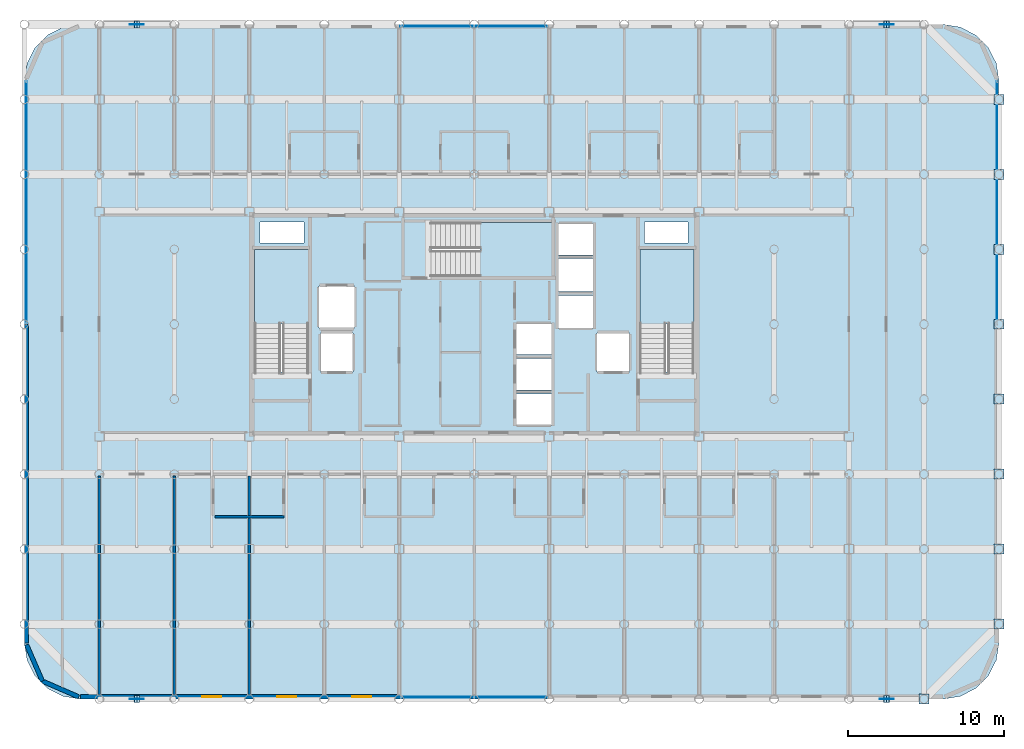
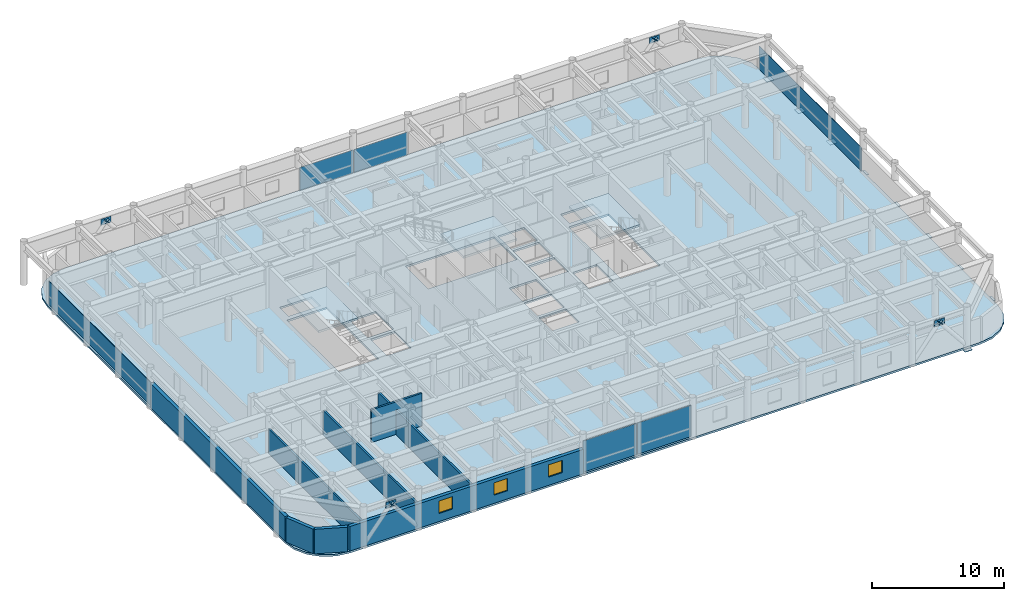
# One storey, part 16 of 22: 27 plates, 8 walls, 4 slabs, 3 windows, 3 openings, 7 elements without a shape of their own.
"""IFC4 building model written with IfcOpenShell, lengths in metres."""

import ifcopenshell
import ifcopenshell.guid

model = None  # the IFC model being written
_history = None  # IfcOwnerHistory: only IFC2X3 demands one
_inside = {}  # id of a spatial element -> (the spatial element, [elements in it])
_under = {}  # id of a project, library or spatial element -> (it, [spatial elements below it])
_declared = {}  # id of a project -> (the project, [libraries it declares])
_typed = {}  # id of a type object -> (the type object, [elements of that type])
_made_of = {}  # id of a material, layer set ... -> (it, [elements and type objects made of it])


def new_model(schema):
    """Start an empty IFC model of exactly this schema.

    Asked for "IFC4X3", IfcOpenShell would pick the latest addendum, in which some entities
    have other attributes; the version numbers below select the first issue.
    IFC2X3 requires an IfcOwnerHistory on every rooted entity: one is made here for all.
    """
    global model, _history
    if schema == "IFC4X3":
        model = ifcopenshell.file(schema_version=(4, 3, 0, 0))
    else:
        model = ifcopenshell.file(schema=schema)
    _inside.clear()
    _under.clear()
    _declared.clear()
    _typed.clear()
    _made_of.clear()
    _history = None
    if model.schema == "IFC2X3":
        org = make("IfcOrganization", Name="unknown")
        user = make(
            "IfcPersonAndOrganization",
            ThePerson=make("IfcPerson", FamilyName="unknown"),
            TheOrganization=org,
        )
        app = make(
            "IfcApplication",
            ApplicationDeveloper=org,
            Version="unknown",
            ApplicationFullName="unknown",
            ApplicationIdentifier="unknown",
        )
        _history = make(
            "IfcOwnerHistory",
            OwningUser=user,
            OwningApplication=app,
            ChangeAction="ADDED",
            CreationDate=0,
        )
    return model


def make(cls, **values):
    """One entity of the class cls with the attributes given. An attribute that is None is left unset."""
    return model.create_entity(
        cls, **{name: value for name, value in values.items() if value is not None}
    )


def rooted(cls, **values):
    """An entity with a GlobalId (a new one), such as an element, a storey or a relation."""
    return make(cls, GlobalId=ifcopenshell.guid.new(), OwnerHistory=_history, **values)


def si_unit(unit_type, name, prefix=None):
    """IfcSIUnit, for example si_unit("LENGTHUNIT", "METRE", prefix="MILLI")."""
    return make("IfcSIUnit", UnitType=unit_type, Prefix=prefix, Name=name)


def assignment(units):
    """IfcUnitAssignment: the units of a project."""
    return None if units is None else make("IfcUnitAssignment", Units=units)


def point(xyz):
    """IfcCartesianPoint."""
    return None if xyz is None else make("IfcCartesianPoint", Coordinates=xyz)


def direction(xyz):
    """IfcDirection."""
    return None if xyz is None else make("IfcDirection", DirectionRatios=xyz)


def frame(location, z_axis=None, x_axis=None):
    """IfcAxis2Placement3D, a coordinate frame: its origin and axes. An axis left out is left unset."""
    return make(
        "IfcAxis2Placement3D",
        Location=point(location),
        Axis=direction(z_axis),
        RefDirection=direction(x_axis),
    )


def frame_2d(location, x_axis=None):
    """IfcAxis2Placement2D, a coordinate frame in the plane: its origin and x axis."""
    return make(
        "IfcAxis2Placement2D", Location=point(location), RefDirection=direction(x_axis)
    )


def origin():
    """The frame at (0, 0, 0) with its axes left unset."""
    return frame((0.0, 0.0, 0.0))


def origin_2d():
    """The frame at (0, 0) in the plane with its x axis left unset."""
    return frame_2d((0.0, 0.0))


def place(relative_to, where):
    """IfcLocalPlacement: puts the frame where relative to a parent placement (None: the world)."""
    return make(
        "IfcLocalPlacement", PlacementRelTo=relative_to, RelativePlacement=where
    )


def context(
    kind, dimensions, precision=None, world=None, true_north=None, identifier=None
):
    """IfcGeometricRepresentationContext, for example the 3D "Model" context."""
    return make(
        "IfcGeometricRepresentationContext",
        ContextIdentifier=identifier,
        ContextType=kind,
        CoordinateSpaceDimension=dimensions,
        Precision=precision,
        WorldCoordinateSystem=world,
        TrueNorth=true_north,
    )


def subcontext(parent, identifier, kind, view, scale=None):
    """IfcGeometricRepresentationSubContext, for example "Body" below "Model"."""
    return make(
        "IfcGeometricRepresentationSubContext",
        ContextIdentifier=identifier,
        ContextType=kind,
        ParentContext=parent,
        TargetScale=scale,
        TargetView=view,
    )


def project(units=None, contexts=None):
    """IfcProject with its units and contexts."""
    return rooted(
        "IfcProject",
        Name="project",
        RepresentationContexts=contexts,
        UnitsInContext=assignment(units),
    )


def spatial(cls, under=None, at=None, **own):
    """A site, building, storey or space (cls), placed at a placement, below another one or the project."""
    s = rooted(cls, ObjectPlacement=at, **own)
    if under is not None:
        _under.setdefault(under.id(), (under, []))[1].append(s)
    return s


def polyline(points):
    """IfcPolyline through the points."""
    return make("IfcPolyline", Points=[point(p) for p in points])


def profile(cls, at=None, kind="AREA", **sizes):
    """A parametric profile (cls). Its sizes go by their IFC names, for example OverallWidth=200.0."""
    return make(cls, ProfileType=kind, Position=at, **sizes)


def rectangle(**sizes):
    """IfcRectangleProfileDef."""
    return profile("IfcRectangleProfileDef", **sizes)


def outline(outer, holes=None, kind="AREA"):
    """IfcArbitraryClosedProfileDef: a profile drawn as a closed curve; with holes, ...WithVoids."""
    if holes is None:
        return make("IfcArbitraryClosedProfileDef", ProfileType=kind, OuterCurve=outer)
    return make(
        "IfcArbitraryProfileDefWithVoids",
        ProfileType=kind,
        OuterCurve=outer,
        InnerCurves=holes,
    )


def extrude(swept, where, along, depth):
    """IfcExtrudedAreaSolid: the profile swept, set in the frame where, extruded along a direction by depth."""
    return make(
        "IfcExtrudedAreaSolid",
        SweptArea=swept,
        Position=where,
        ExtrudedDirection=direction(along),
        Depth=depth,
    )


def shape(context_of_items, identifier, shape_type, items):
    """IfcShapeRepresentation: the items that make up one representation, for example the "Body"."""
    return make(
        "IfcShapeRepresentation",
        ContextOfItems=context_of_items,
        RepresentationIdentifier=identifier,
        RepresentationType=shape_type,
        Items=items,
    )


def material(Name=None, Category=None):
    """IfcMaterial."""
    return make("IfcMaterial", Name=Name, Category=Category)


def layer(
    of_material, thickness, ventilated=None, Name=None, Category=None, Priority=None
):
    """IfcMaterialLayer: one layer of a wall or slab, of a material (None: an air gap)."""
    return make(
        "IfcMaterialLayer",
        Material=of_material,
        LayerThickness=thickness,
        IsVentilated=ventilated,
        Name=Name,
        Category=Category,
        Priority=Priority,
    )


def layer_set(layers, Name=None):
    """IfcMaterialLayerSet."""
    return make("IfcMaterialLayerSet", MaterialLayers=layers, LayerSetName=Name)


def made_of(thing, what):
    """Note that an element or type object is made of a material, layer set ...; save() writes the relation."""
    if what is not None:
        _made_of.setdefault(what.id(), (what, []))[1].append(thing)
    return thing


def type_object(cls, material=None, **own):
    """A type object (cls), such as IfcWallType, which elements share."""
    return made_of(rooted(cls, **own), material)


def element(
    cls,
    number,
    at=None,
    inside=None,
    cuts=None,
    type_object=None,
    material=None,
    context=None,
    identifier="Body",
    shape_type=None,
    held_by="IfcProductDefinitionShape",
    body=None,
    shapes=None,
    **own,
):
    """One element of the class cls, such as IfcWall. Its Tag is "e" and its number.

    at: its placement. inside: the storey or other place that contains it. cuts: it is an
    opening in that element (IfcRelVoidsElement). A single representation is given by context,
    identifier, shape_type and body (its items); several are given by shapes. held_by: the class
    of the entity that holds the representations. save() writes the other relations.
    """
    e = rooted(cls, Tag="e%d" % number, ObjectPlacement=at, **own)
    if body is not None:
        shapes = [shape(context, identifier, shape_type, body)]
    if shapes is not None:
        e.Representation = make(held_by, Representations=shapes)
    if inside is not None:
        _inside.setdefault(inside.id(), (inside, []))[1].append(e)
    if cuts is not None:
        rooted(
            "IfcRelVoidsElement", RelatingBuildingElement=cuts, RelatedOpeningElement=e
        )
    if type_object is not None:
        _typed.setdefault(type_object.id(), (type_object, []))[1].append(e)
    return made_of(e, material)


def fill(opening, filler):
    """IfcRelFillsElement: the door or window that sits in an opening."""
    return rooted(
        "IfcRelFillsElement",
        RelatingOpeningElement=opening,
        RelatedBuildingElement=filler,
    )


def aggregate(whole, parts):
    """IfcRelAggregates: a whole, such as a stair, and the parts it consists of."""
    return rooted("IfcRelAggregates", RelatingObject=whole, RelatedObjects=parts)


def save(model, path):
    """Write the relations noted so far, then the file.

    IfcRelAggregates (storeys below a building ...), IfcRelContainedInSpatialStructure (elements
    in a storey), IfcRelDefinesByType, IfcRelAssociatesMaterial and IfcRelDeclares: one each for
    every whole, place, type object, material and project.
    """
    for whole, parts in _under.values():
        aggregate(whole, parts)
    for where, things in _inside.values():
        rooted(
            "IfcRelContainedInSpatialStructure",
            RelatedElements=things,
            RelatingStructure=where,
        )
    for kind, things in _typed.values():
        rooted("IfcRelDefinesByType", RelatedObjects=things, RelatingType=kind)
    for what, things in _made_of.values():
        rooted("IfcRelAssociatesMaterial", RelatedObjects=things, RelatingMaterial=what)
    for by, libraries in _declared.values():
        rooted("IfcRelDeclares", RelatingContext=by, RelatedDefinitions=libraries)
    model.write(path)


model = new_model("IFC4")

# Units and contexts
model_context = context("Model", 3, precision=1e-05, world=origin(), true_north=direction((0.0, 1.0)))
body_context = subcontext(model_context, "Body", "Model", "MODEL_VIEW")
ifc_project = project(units=[si_unit("LENGTHUNIT", "METRE"), si_unit("AREAUNIT", "SQUARE_METRE"), si_unit("VOLUMEUNIT", "CUBIC_METRE"), si_unit("PLANEANGLEUNIT", "RADIAN"), si_unit("MASSUNIT", "GRAM", prefix="KILO")], contexts=[model_context])

# Site, building, storey
site_placement = place(None, origin())
site = spatial("IfcSite", under=ifc_project, at=site_placement, CompositionType="ELEMENT")
building_placement = place(site_placement, origin())
building = spatial("IfcBuilding", under=site, at=building_placement, Name="Kallvorn Hotel Tower", CompositionType="ELEMENT")
storey_placement = place(building_placement, frame((0.0, 0.0, 191.5)))
storey = spatial("IfcBuildingStorey", under=building, at=storey_placement, Name="L47", CompositionType="ELEMENT", Elevation=191.5)

# Curtain wall, plates
ifc_material_1 = material(Name="Thermally broken black-anodised aluminium AA 6063-T6", Category="aluminium")
ifc_layer_1 = layer(ifc_material_1, 0.22998046875)
ifc_layer_set_1 = layer_set([ifc_layer_1], Name="CW_SYS_5_HOTEL_HIGH")
curtain_wall_type = type_object("IfcCurtainWallType", Name="CW_SYS_5_HOTEL_HIGH", PredefinedType="USERDEFINED", material=ifc_layer_set_1)
curtain_wall_1_placement = place(storey_placement, origin())
curtain_wall_1 = element("IfcCurtainWall", 1, at=curtain_wall_1_placement, inside=storey, type_object=curtain_wall_type, Name="L47 Dark-Glass Curtain Wall CW-L47-SC", ObjectType="UNITISED CURTAIN WALL", PredefinedType="USERDEFINED")
ifc_material_2 = material(Name="Triple-glazed low-e acoustic solar-control dark glass", Category="glass")
ifc_layer_2 = layer(ifc_material_2, 0.04150390625)
ifc_layer_set_2 = layer_set([ifc_layer_2], Name="CW_SYS_5_HOTEL_HIGH_PANEL")
plate_type_1 = type_object("IfcPlateType", Name="CW_SYS_5_HOTEL_HIGH_PANEL", PredefinedType="CURTAIN_PANEL", material=ifc_layer_set_2)
plate_1_placement = place(storey_placement, frame((-2.375, -23.8798828125, 0.06005859375), z_axis=(0.0, 0.0, 1.0), x_axis=(1.0, 0.0, 0.0)))
plate_1 = element("IfcPlate", 2, at=plate_1_placement, type_object=plate_type_1, Name="CW-L47-SC Vision Glass Panel 00", PredefinedType="CURTAIN_PANEL", context=body_context, shape_type="SweptSolid", body=[
    extrude(rectangle(XDim=4.68994140625, YDim=0.04150390625, at=origin_2d()), origin(), (0.0, 0.0, 1.0), 2.89990234375),
])
plate_2_placement = place(storey_placement, frame((2.375, -23.8798828125, 0.06005859375), z_axis=(0.0, 0.0, 1.0), x_axis=(1.0, 0.0, 0.0)))
plate_2 = element("IfcPlate", 3, at=plate_2_placement, type_object=plate_type_1, Name="CW-L47-SC Vision Glass Panel 01", PredefinedType="CURTAIN_PANEL", context=body_context, shape_type="SweptSolid", body=[
    extrude(rectangle(XDim=4.68994140625, YDim=0.04150390625, at=origin_2d()), origin(), (0.0, 0.0, 1.0), 2.89990234375),
])
aggregate(curtain_wall_1, [plate_1, plate_2])

curtain_wall_2_placement = place(storey_placement, origin())
curtain_wall_2 = element("IfcCurtainWall", 4, at=curtain_wall_2_placement, inside=storey, type_object=curtain_wall_type, Name="L47 Dark-Glass Curtain Wall CW-L47-NC", ObjectType="UNITISED CURTAIN WALL", PredefinedType="USERDEFINED")
plate_3_placement = place(storey_placement, frame((-2.375, 19.080078125, 0.06005859375), z_axis=(0.0, 0.0, 1.0), x_axis=(1.0, 0.0, 0.0)))
plate_3 = element("IfcPlate", 5, at=plate_3_placement, type_object=plate_type_1, Name="CW-L47-NC Vision Glass Panel 00", PredefinedType="CURTAIN_PANEL", context=body_context, shape_type="SweptSolid", body=[
    extrude(rectangle(XDim=4.68994140625, YDim=0.04150390625, at=origin_2d()), origin(), (0.0, 0.0, 1.0), 2.14990234375),
])
plate_4_placement = place(storey_placement, frame((2.375, 19.080078125, 0.06005859375), z_axis=(0.0, 0.0, 1.0), x_axis=(1.0, 0.0, 0.0)))
plate_4 = element("IfcPlate", 6, at=plate_4_placement, type_object=plate_type_1, Name="CW-L47-NC Vision Glass Panel 01", PredefinedType="CURTAIN_PANEL", context=body_context, shape_type="SweptSolid", body=[
    extrude(rectangle(XDim=4.68994140625, YDim=0.04150390625, at=origin_2d()), origin(), (0.0, 0.0, 1.0), 2.14990234375),
])
aggregate(curtain_wall_2, [plate_3, plate_4])

# Curtain wall, plate
curtain_wall_3_placement = place(storey_placement, origin())
curtain_wall_3 = element("IfcCurtainWall", 7, at=curtain_wall_3_placement, inside=storey, type_object=curtain_wall_type, Name="L47 Dark-Glass Curtain Wall CW-L47-WN", ObjectType="UNITISED CURTAIN WALL", PredefinedType="USERDEFINED")
plate_5_placement = place(storey_placement, frame((-28.679931640625, 7.81005859375, 0.06005859375), z_axis=(0.0, 0.0, 1.0), x_axis=(0.0, 1.0, 0.0)))
plate_5 = element("IfcPlate", 8, at=plate_5_placement, type_object=plate_type_1, Name="CW-L47-WN Vision Glass Panel 00", PredefinedType="CURTAIN_PANEL", context=body_context, shape_type="SweptSolid", body=[
    extrude(rectangle(XDim=15.52001953125, YDim=0.04150390625, at=origin_2d()), origin(), (0.0, 0.0, 1.0), 2.14990234375),
])
aggregate(curtain_wall_3, [plate_5])

curtain_wall_4_placement = place(storey_placement, origin())
curtain_wall_4 = element("IfcCurtainWall", 9, at=curtain_wall_4_placement, inside=storey, type_object=curtain_wall_type, Name="L47 Dark-Glass Curtain Wall CW-L47-EN", ObjectType="UNITISED CURTAIN WALL", PredefinedType="USERDEFINED")
plate_6_placement = place(storey_placement, frame((33.47998046875, 7.81005859375, 0.06005859375), z_axis=(0.0, 0.0, 1.0), x_axis=(0.0, 1.0, 0.0)))
plate_6 = element("IfcPlate", 10, at=plate_6_placement, type_object=plate_type_1, Name="CW-L47-EN Vision Glass Panel 00", PredefinedType="CURTAIN_PANEL", context=body_context, shape_type="SweptSolid", body=[
    extrude(rectangle(XDim=15.52001953125, YDim=0.04150390625, at=origin_2d()), origin(), (0.0, 0.0, 1.0), 2.14990234375),
])
aggregate(curtain_wall_4, [plate_6])

# Plates
ifc_material_3 = material(Name="Structural steel S355JR", Category="steel")
ifc_layer_3 = layer(ifc_material_3, 0.030029296875)
ifc_layer_set_3 = layer_set([ifc_layer_3], Name="PLT_CAP_30")
plate_type_2 = type_object("IfcPlateType", Name="PLT_CAP_30", PredefinedType="SHEET", material=ifc_layer_set_3)
for number, where, z_axis, x_axis, name in (
    (11, (28.800048828125, -24.0, -0.2099609375), (0.0, 0.0, 1.0), (1.0, 0.0, 0.0), "L47 Hollow Column Base End Cap Plate 0234"),
    (12, (33.60009765625, -19.199951171875, -0.2099609375), (0.0, 0.0, 1.0), (1.0, 0.0, 0.0), "L47 Hollow Column Base End Cap Plate 0235"),
    (13, (33.60009765625, -14.39990234375, -0.2099609375), (0.0, 0.0, 1.0), (1.0, 0.0, 0.0), "L47 Hollow Column Base End Cap Plate 0236"),
    (14, (33.60009765625, -9.60009765625, -0.2099609375), (0.0, 0.0, 1.0), (1.0, 0.0, 0.0), "L47 Hollow Column Base End Cap Plate 0237"),
    (15, (33.60009765625, -4.800048828125, -0.2099609375), (0.0, 0.0, 1.0), (1.0, 0.0, 0.0), "L47 Hollow Column Base End Cap Plate 0238"),
    (16, (33.60009765625, 0.0, -0.2099609375), (0.0, 0.0, 1.0), (1.0, 0.0, 0.0), "L47 Hollow Column Base End Cap Plate 0239"),
    (17, (33.60009765625, 4.800048828125, -0.2099609375), (0.0, 0.0, 1.0), (1.0, 0.0, 0.0), "L47 Hollow Column Base End Cap Plate 0240"),
    (18, (33.60009765625, 9.60009765625, -0.2099609375), (0.0, 0.0, 1.0), (1.0, 0.0, 0.0), "L47 Hollow Column Base End Cap Plate 0241"),
    (19, (33.60009765625, 14.39990234375, -0.2099609375), (0.0, 0.0, 1.0), (1.0, 0.0, 0.0), "L47 Hollow Column Base End Cap Plate 0242"),
):
    element("IfcPlate", number, at=place(storey_placement, frame(where, z_axis=z_axis, x_axis=x_axis)), inside=storey, type_object=plate_type_2, Name=name, PredefinedType="SHEET", context=body_context, shape_type="SweptSolid", body=[
        extrude(rectangle(XDim=0.638916015625, YDim=0.638916015625, at=origin_2d()), origin(), (0.0, 0.0, 1.0), 0.030029296875),
    ])
for number, where, z_axis, x_axis, name in (
    (20, (-21.424072265625, -24.2177734375, 3.031005859375), (0.627697677331, 0.0, 0.778457208762), (0.0, 1.0, 0.0), "EXO-L47-S1A End Cap Plate B"),
    (21, (-21.77587890625, -23.7822265625, 3.031005859375), (-0.627697677331, 0.0, 0.778457208762), (0.0, -1.0, 0.0), "EXO-L47-S1B End Cap Plate B"),
    (22, (26.575927734375, -24.2177734375, 3.031005859375), (0.627697677331, 0.0, 0.778457208762), (0.0, 1.0, 0.0), "EXO-L47-S2A End Cap Plate B"),
    (23, (26.22412109375, -23.7822265625, 3.031005859375), (-0.627697677331, 0.0, 0.778457208762), (0.0, -1.0, 0.0), "EXO-L47-S2B End Cap Plate B"),
    (24, (-21.424072265625, 18.982177734375, 3.031005859375), (0.627697677331, 0.0, 0.778457208762), (0.0, 1.0, 0.0), "EXO-L47-N1A End Cap Plate B"),
    (25, (-21.77587890625, 19.417724609375, 3.031005859375), (-0.627697677331, 0.0, 0.778457208762), (0.0, -1.0, 0.0), "EXO-L47-N1B End Cap Plate B"),
    (26, (26.575927734375, 18.982177734375, 3.031005859375), (0.627697677331, 0.0, 0.778457208762), (0.0, 1.0, 0.0), "EXO-L47-N2A End Cap Plate B"),
    (27, (26.22412109375, 19.417724609375, 3.031005859375), (-0.627697677331, 0.0, 0.778457208762), (0.0, -1.0, 0.0), "EXO-L47-N2B End Cap Plate B"),
):
    element("IfcPlate", number, at=place(storey_placement, frame(where, z_axis=z_axis, x_axis=x_axis)), inside=storey, type_object=plate_type_2, Name=name, PredefinedType="SHEET", context=body_context, shape_type="SweptSolid", body=[
        extrude(outline(polyline([(0.0, 0.0), (0.435546875, 0.0), (0.435546875, 0.43561974159690164), (0.0, 0.43561974159690164), (0.0, 0.0)])), origin(), (0.0, 0.0, -1.0), 0.030029296875),
    ])
ifc_material_4 = material(Name="Structural steel S355JR", Category="steel")
ifc_layer_4 = layer(ifc_material_4, 0.034912109375)
ifc_layer_set_4 = layer_set([ifc_layer_4], Name="PLT_GUSSET_35")
plate_type_3 = type_object("IfcPlateType", Name="PLT_GUSSET_35", PredefinedType="USERDEFINED", material=ifc_layer_set_4)
for number, where, z_axis, x_axis, name in (
    (28, (-21.60009765625, -24.0, 2.840087890625), (0.0, 0.0, 1.0), (1.0, 0.0, 0.0), "L47 Exoskeleton Node Gusset S1"),
    (29, (26.39990234375, -24.0, 2.840087890625), (0.0, 0.0, 1.0), (1.0, 0.0, 0.0), "L47 Exoskeleton Node Gusset S2"),
    (30, (-21.60009765625, 19.199951171875, 2.840087890625), (0.0, 0.0, 1.0), (1.0, 0.0, 0.0), "L47 Exoskeleton Node Gusset N1"),
    (31, (26.39990234375, 19.199951171875, 2.840087890625), (0.0, 0.0, 1.0), (1.0, 0.0, 0.0), "L47 Exoskeleton Node Gusset N2"),
):
    element("IfcPlate", number, at=place(storey_placement, frame(where, z_axis=z_axis, x_axis=x_axis)), inside=storey, type_object=plate_type_3, Name=name, ObjectType="GUSSET PLATE", PredefinedType="USERDEFINED", context=body_context, shape_type="SweptSolid", body=[
        extrude(rectangle(XDim=0.89990234375, YDim=0.034912109375, at=origin_2d()), origin(), (0.0, 0.0, 1.0), 0.56005859375),
    ])

# Stair, slab
ifc_material_5 = material(Name="Precast concrete C40/50", Category="concrete")
stair_type = type_object("IfcStairType", Name="STR_CORE_DOGLEG", PredefinedType="HALF_TURN_STAIR", material=ifc_material_5)
stair_1_placement = place(storey_placement, origin())
stair_1 = element("IfcStair", 32, at=stair_1_placement, inside=storey, type_object=stair_type, Name="L47 Exit stair ST1", PredefinedType="HALF_TURN_STAIR")
ifc_material_6 = material(Name="Precast concrete C40/50", Category="concrete")
ifc_layer_5 = layer(ifc_material_6, 0.179931640625)
ifc_layer_set_5 = layer_set([ifc_layer_5], Name="SLB_LANDING_180")
slab_type_1 = type_object("IfcSlabType", Name="SLB_LANDING_180", PredefinedType="LANDING", material=ifc_layer_set_5)
slab_1_placement = place(storey_placement, frame((0.0, 0.0, 1.72509765625)))
slab_1 = element("IfcSlab", 33, at=slab_1_placement, type_object=slab_type_1, Name="ST1 landing 1", PredefinedType="LANDING", context=body_context, shape_type="SweptSolid", body=[
    extrude(outline(polyline([(-10.60009765625, 0.010009765625), (-10.60009765625, 4.800048828125), (-14.06005859375, 4.800048828125), (-14.06005859375, 0.010009765625), (-10.60009765625, 0.010009765625)])), origin(), (0.0, 0.0, 1.0), 0.199951171875),
])
aggregate(stair_1, [slab_1])

stair_2_placement = place(storey_placement, origin())
stair_2 = element("IfcStair", 34, at=stair_2_placement, inside=storey, type_object=stair_type, Name="L47 Exit stair ST2", PredefinedType="HALF_TURN_STAIR")
slab_2_placement = place(storey_placement, frame((0.0, 0.0, 1.72509765625)))
slab_2 = element("IfcSlab", 35, at=slab_2_placement, type_object=slab_type_1, Name="ST2 landing 1", PredefinedType="LANDING", context=body_context, shape_type="SweptSolid", body=[
    extrude(outline(polyline([(14.06005859375, 0.010009765625), (14.06005859375, 4.800048828125), (10.60009765625, 4.800048828125), (10.60009765625, 0.010009765625), (14.06005859375, 0.010009765625)])), origin(), (0.0, 0.0, 1.0), 0.199951171875),
])
aggregate(stair_2, [slab_2])

stair_3_placement = place(storey_placement, origin())
stair_3 = element("IfcStair", 36, at=stair_3_placement, inside=storey, type_object=stair_type, Name="L47 Exit stair ST3", PredefinedType="HALF_TURN_STAIR")
slab_3_placement = place(storey_placement, frame((0.0, 0.0, 1.72509765625)))
slab_3 = element("IfcSlab", 37, at=slab_3_placement, type_object=slab_type_1, Name="ST3 landing 1", PredefinedType="LANDING", context=body_context, shape_type="SweptSolid", body=[
    extrude(outline(polyline([(0.360107421875, 3.050048828125), (5.050048828125, 3.050048828125), (5.050048828125, 6.510009765625), (0.360107421875, 6.510009765625), (0.360107421875, 3.050048828125)])), origin(), (0.0, 0.0, 1.0), 0.199951171875),
])
aggregate(stair_3, [slab_3])

# Slab
ifc_material_7 = material(Name="Concrete C40/50", Category="concrete")
ifc_layer_6 = layer(ifc_material_7, 0.179931640625)
ifc_layer_set_6 = layer_set([ifc_layer_6], Name="SLB_TOWER_180")
slab_type_2 = type_object("IfcSlabType", Name="SLB_TOWER_180", PredefinedType="FLOOR", material=ifc_layer_set_6)
slab_4_placement = place(storey_placement, frame((0.0, 0.0, -0.179931640625)))
element("IfcSlab", 38, at=slab_4_placement, inside=storey, type_object=slab_type_2, Name="L47 Structural Floor Slab", PredefinedType="FLOOR", context=body_context, shape_type="SweptSolid", body=[
    extrude(outline(polyline([(30.0, -24.0), (31.112548828125, -23.82373046875), (32.115966796875, -23.3125), (32.91259765625, -22.51611328125), (33.423828125, -21.512451171875), (33.60009765625, -20.39990234375), (33.60009765625, 15.60009765625), (33.423828125, 16.71240234375), (32.91259765625, 17.716064453125), (32.115966796875, 18.512451171875), (31.112548828125, 19.023681640625), (30.0, 19.199951171875), (-25.199951171875, 19.199951171875), (-26.3125, 19.023681640625), (-27.31591796875, 18.512451171875), (-28.112548828125, 17.716064453125), (-28.623779296875, 16.71240234375), (-28.800048828125, 15.60009765625), (-28.800048828125, -20.39990234375), (-28.623779296875, -21.512451171875), (-28.112548828125, -22.51611328125), (-27.31591796875, -23.3125), (-26.3125, -23.82373046875), (-25.199951171875, -24.0), (30.0, -24.0)]), holes=[polyline([(-10.60009765625, -3.070068359375), (-10.60009765625, 4.800048828125), (-14.06005859375, 4.800048828125), (-14.06005859375, -3.070068359375), (-10.60009765625, -3.070068359375)]), polyline([(14.06005859375, -3.070068359375), (14.06005859375, 4.800048828125), (10.60009765625, 4.800048828125), (10.60009765625, -3.070068359375), (14.06005859375, -3.070068359375)]), polyline([(-2.719970703125, 3.050048828125), (5.050048828125, 3.050048828125), (5.050048828125, 6.510009765625), (-2.719970703125, 6.510009765625), (-2.719970703125, 3.050048828125)]), polyline([(2.64990234375, -6.449951171875), (5.0, -6.449951171875), (5.0, -4.449951171875), (2.64990234375, -4.449951171875), (2.64990234375, -6.449951171875)]), polyline([(2.64990234375, -4.199951171875), (5.0, -4.199951171875), (5.0, -2.199951171875), (2.64990234375, -2.199951171875), (2.64990234375, -4.199951171875)]), polyline([(2.64990234375, -1.949951171875), (5.0, -1.949951171875), (5.0, 0.050048828125), (2.64990234375, 0.050048828125), (2.64990234375, -1.949951171875)]), polyline([(5.35009765625, -0.25), (7.64990234375, -0.25), (7.64990234375, 1.85009765625), (5.35009765625, 1.85009765625), (5.35009765625, -0.25)]), polyline([(5.35009765625, 2.10009765625), (7.64990234375, 2.10009765625), (7.64990234375, 4.199951171875), (5.35009765625, 4.199951171875), (5.35009765625, 2.10009765625)]), polyline([(5.35009765625, 4.449951171875), (7.64990234375, 4.449951171875), (7.64990234375, 6.449951171875), (5.35009765625, 6.449951171875), (5.35009765625, 4.449951171875)]), polyline([(-9.85009765625, -3.050048828125), (-7.75, -3.050048828125), (-7.75, -0.550048828125), (-9.85009765625, -0.550048828125), (-9.85009765625, -3.050048828125)]), polyline([(7.85009765625, -3.050048828125), (9.949951171875, -3.050048828125), (9.949951171875, -0.550048828125), (7.85009765625, -0.550048828125), (7.85009765625, -3.050048828125)]), polyline([(-9.949951171875, -0.25), (-7.64990234375, -0.25), (-7.64990234375, 2.449951171875), (-9.949951171875, 2.449951171875), (-9.949951171875, -0.25)]), polyline([(-13.699951171875, 5.199951171875), (-10.89990234375, 5.199951171875), (-10.89990234375, 6.550048828125), (-13.699951171875, 6.550048828125), (-13.699951171875, 5.199951171875)]), polyline([(10.89990234375, 5.199951171875), (13.699951171875, 5.199951171875), (13.699951171875, 6.550048828125), (10.89990234375, 6.550048828125), (10.89990234375, 5.199951171875)])]), origin(), (0.0, 0.0, 1.0), 0.179931640625),
])

# Walls
ifc_material_8 = material(Name="Fire-rated double-layer acoustic gypsum drywall EI 60")
ifc_layer_7 = layer(ifc_material_8, 0.159912109375)
ifc_layer_set_7 = layer_set([ifc_layer_7], Name="WL_DEMISE_160")
wall_type_1 = type_object("IfcWallType", Name="WL_DEMISE_160", PredefinedType="PARTITIONING", material=ifc_layer_set_7)
wall_1_placement = place(storey_placement, frame((-16.610107421875, -12.320068359375, 0.0), z_axis=(0.0, 0.0, 1.0), x_axis=(1.0, 0.0, 0.0)))
element("IfcWall", 39, at=wall_1_placement, inside=storey, type_object=wall_type_1, Name="L47 Suite 4701 Superior Twin Room Partition", PredefinedType="PARTITIONING", context=body_context, shape_type="SweptSolid", body=[
    extrude(rectangle(XDim=4.420166015625, YDim=0.159912109375, at=frame_2d((2.2099609375, 0.0))), origin(), (0.0, 0.0, 1.0), 3.02001953125),
])
for number, where, z_axis, x_axis, name in (
    (40, (-19.199951171875, -23.7099609375, 0.0), (0.0, 0.0, 1.0), (0.0, 1.0, 0.0), "L47 Suite 4701 Superior Twin Room Partition"),
    (41, (-14.39990234375, -23.7099609375, 0.0), (0.0, 0.0, 1.0), (0.0, 1.0, 0.0), "L47 Suite 4701 Superior Twin Room Partition"),
):
    element("IfcWall", number, at=place(storey_placement, frame(where, z_axis=z_axis, x_axis=x_axis)), inside=storey, type_object=wall_type_1, Name=name, PredefinedType="PARTITIONING", context=body_context, shape_type="SweptSolid", body=[
        extrude(rectangle(XDim=13.989990234375, YDim=0.159912109375, at=frame_2d((6.9951171875, 0.0))), origin(), (0.0, 0.0, 1.0), 2.27001953125),
    ])
ifc_material_9 = material(Name="Precast basalt-clad insulated concrete wall C40/50", Category="masonry")
ifc_layer_8 = layer(ifc_material_9, 0.280029296875)
ifc_layer_set_8 = layer_set([ifc_layer_8], Name="WL_EXT_LOGGIA_280")
wall_type_2 = type_object("IfcWallType", Name="WL_EXT_LOGGIA_280", PredefinedType="SOLIDWALL", material=ifc_layer_set_8)
wall_2_placement = place(storey_placement, frame((-28.657958984375, -20.520751953125, 0.0), z_axis=(0.0, 0.0, 1.0), x_axis=(0.398792985289, -0.917040977756, 0.0)))
element("IfcWall", 42, at=wall_2_placement, inside=storey, type_object=wall_type_2, Name="L47 Rounded Corner Exterior Wall SW1", PredefinedType="SOLIDWALL", context=body_context, shape_type="SweptSolid", body=[
    extrude(rectangle(XDim=2.536376953125, YDim=0.280029296875, at=frame_2d((1.26806640625, 0.0))), origin(), (0.0, 0.0, 1.0), 2.27001953125),
])
wall_3_placement = place(storey_placement, frame((-27.646484375, -22.8466796875, 0.0), z_axis=(0.0, 0.0, 1.0), x_axis=(0.917060872934, -0.398747232384, 0.0)))
element("IfcWall", 43, at=wall_3_placement, inside=storey, type_object=wall_type_2, Name="L47 Rounded Corner Exterior Wall SW2", PredefinedType="SOLIDWALL", context=body_context, shape_type="SweptSolid", body=[
    extrude(rectangle(XDim=2.5361328125, YDim=0.280029296875, at=frame_2d((1.26806640625, 0.0))), origin(), (0.0, 0.0, 1.0), 2.27001953125),
])

# Wall, openings, windows
wall_4_placement = place(storey_placement, frame((-25.199951171875, -23.860107421875, 0.0), z_axis=(0.0, 0.0, 1.0), x_axis=(1.0, 0.0, 0.0)))
wall_4 = element("IfcWall", 44, at=wall_4_placement, inside=storey, type_object=wall_type_2, Name="L47 Exterior Envelope Wall EW-L47-SW", PredefinedType="SOLIDWALL", context=body_context, shape_type="SweptSolid", body=[
    extrude(rectangle(XDim=20.449951171875, YDim=0.280029296875, at=frame_2d((10.22509765625, 0.0))), origin(), (0.0, 0.0, 1.0), 2.27001953125),
])
opening_1_placement = place(wall_4_placement, frame((7.800048828125, 0.0, 0.75)))
opening_1 = element("IfcOpeningElement", 45, at=opening_1_placement, cuts=wall_4, Name="Opening W06A", PredefinedType="OPENING", context=body_context, shape_type="SweptSolid", body=[
    extrude(rectangle(XDim=1.199951171875, YDim=1.14990234375, at=frame_2d((0.60009765625, 0.574951171875))), frame((0.0, 0.155029296875, 0.0), z_axis=(0.0, -1.0, 0.0), x_axis=(1.0, 0.0, 0.0)), (0.0, 0.0, 1.0), 0.31005859375),
])
opening_2_placement = place(wall_4_placement, frame((12.60009765625, 0.0, 0.75)))
opening_2 = element("IfcOpeningElement", 46, at=opening_2_placement, cuts=wall_4, Name="Opening W06A", PredefinedType="OPENING", context=body_context, shape_type="SweptSolid", body=[
    extrude(rectangle(XDim=1.199951171875, YDim=1.14990234375, at=frame_2d((0.60009765625, 0.574951171875))), frame((0.0, 0.155029296875, 0.0), z_axis=(0.0, -1.0, 0.0), x_axis=(1.0, 0.0, 0.0)), (0.0, 0.0, 1.0), 0.31005859375),
])
opening_3_placement = place(wall_4_placement, frame((17.39990234375, 0.0, 0.75)))
opening_3 = element("IfcOpeningElement", 47, at=opening_3_placement, cuts=wall_4, Name="Opening W06A", PredefinedType="OPENING", context=body_context, shape_type="SweptSolid", body=[
    extrude(rectangle(XDim=1.199951171875, YDim=1.14990234375, at=frame_2d((0.60009765625, 0.574951171875))), frame((0.0, 0.155029296875, 0.0), z_axis=(0.0, -1.0, 0.0), x_axis=(1.0, 0.0, 0.0)), (0.0, 0.0, 1.0), 0.31005859375),
])
ifc_material_10 = material(Name="Triple-glazed low-e acoustic solar-control dark glass", Category="glass")
window_type = type_object("IfcWindowType", Name="WN_HTL_1200x1150", PartitioningType="SINGLE_PANEL", PredefinedType="WINDOW", material=ifc_material_10)
window_1_placement = place(opening_1_placement, origin())
window_1 = element("IfcWindow", 48, at=window_1_placement, inside=storey, type_object=window_type, Name="L47 Guestroom Exterior Window 03", OverallHeight=1.14990234375, OverallWidth=1.199951171875, PartitioningType="SINGLE_PANEL", PredefinedType="WINDOW", context=body_context, shape_type="SweptSolid", body=[
    extrude(rectangle(XDim=1.199951171875, YDim=1.14990234375, at=frame_2d((0.60009765625, 0.574951171875))), frame((0.0, 0.030029296875, 0.0), z_axis=(0.0, -1.0, 0.0), x_axis=(1.0, 0.0, 0.0)), (0.0, 0.0, 1.0), 0.06005859375),
])
fill(opening_1, window_1)
window_2_placement = place(opening_2_placement, origin())
window_2 = element("IfcWindow", 49, at=window_2_placement, inside=storey, type_object=window_type, Name="L47 Guestroom Exterior Window 04", OverallHeight=1.14990234375, OverallWidth=1.199951171875, PartitioningType="SINGLE_PANEL", PredefinedType="WINDOW", context=body_context, shape_type="SweptSolid", body=[
    extrude(rectangle(XDim=1.199951171875, YDim=1.14990234375, at=frame_2d((0.60009765625, 0.574951171875))), frame((0.0, 0.030029296875, 0.0), z_axis=(0.0, -1.0, 0.0), x_axis=(1.0, 0.0, 0.0)), (0.0, 0.0, 1.0), 0.06005859375),
])
fill(opening_2, window_2)
window_3_placement = place(opening_3_placement, origin())
window_3 = element("IfcWindow", 50, at=window_3_placement, inside=storey, type_object=window_type, Name="L47 Guestroom Exterior Window 05", OverallHeight=1.14990234375, OverallWidth=1.199951171875, PartitioningType="SINGLE_PANEL", PredefinedType="WINDOW", context=body_context, shape_type="SweptSolid", body=[
    extrude(rectangle(XDim=1.199951171875, YDim=1.14990234375, at=frame_2d((0.60009765625, 0.574951171875))), frame((0.0, 0.030029296875, 0.0), z_axis=(0.0, -1.0, 0.0), x_axis=(1.0, 0.0, 0.0)), (0.0, 0.0, 1.0), 0.06005859375),
])
fill(opening_3, window_3)

# Walls
wall_5_placement = place(storey_placement, frame((-28.659912109375, -20.39990234375, 0.0), z_axis=(0.0, 0.0, 1.0), x_axis=(0.0, 1.0, 0.0)))
element("IfcWall", 51, at=wall_5_placement, inside=storey, type_object=wall_type_2, Name="L47 Exterior Envelope Wall EW-L47-WS", PredefinedType="SOLIDWALL", context=body_context, shape_type="SweptSolid", body=[
    extrude(rectangle(XDim=20.3798828125, YDim=0.280029296875, at=frame_2d((10.18994140625, 0.0))), origin(), (0.0, 0.0, 1.0), 2.27001953125),
])
ifc_material_11 = material(Name="Fire-rated double-layer acoustic gypsum drywall EI 60")
ifc_layer_9 = layer(ifc_material_11, 0.14990234375)
ifc_layer_set_9 = layer_set([ifc_layer_9], Name="WL_PART_150")
wall_type_3 = type_object("IfcWallType", Name="WL_PART_150", PredefinedType="PARTITIONING", material=ifc_layer_set_9)
wall_6_placement = place(storey_placement, frame((-24.0, -23.7099609375, 0.0), z_axis=(0.0, 0.0, 1.0), x_axis=(0.0, 1.0, 0.0)))
element("IfcWall", 52, at=wall_6_placement, inside=storey, type_object=wall_type_3, Name="L47 L47 High-Zone South-West Tea Bar Partition", PredefinedType="PARTITIONING", context=body_context, shape_type="SweptSolid", body=[
    extrude(rectangle(XDim=13.989990234375, YDim=0.14990234375, at=frame_2d((6.9951171875, 0.0))), origin(), (0.0, 0.0, 1.0), 2.27001953125),
])

save(model, "model.ifc")
